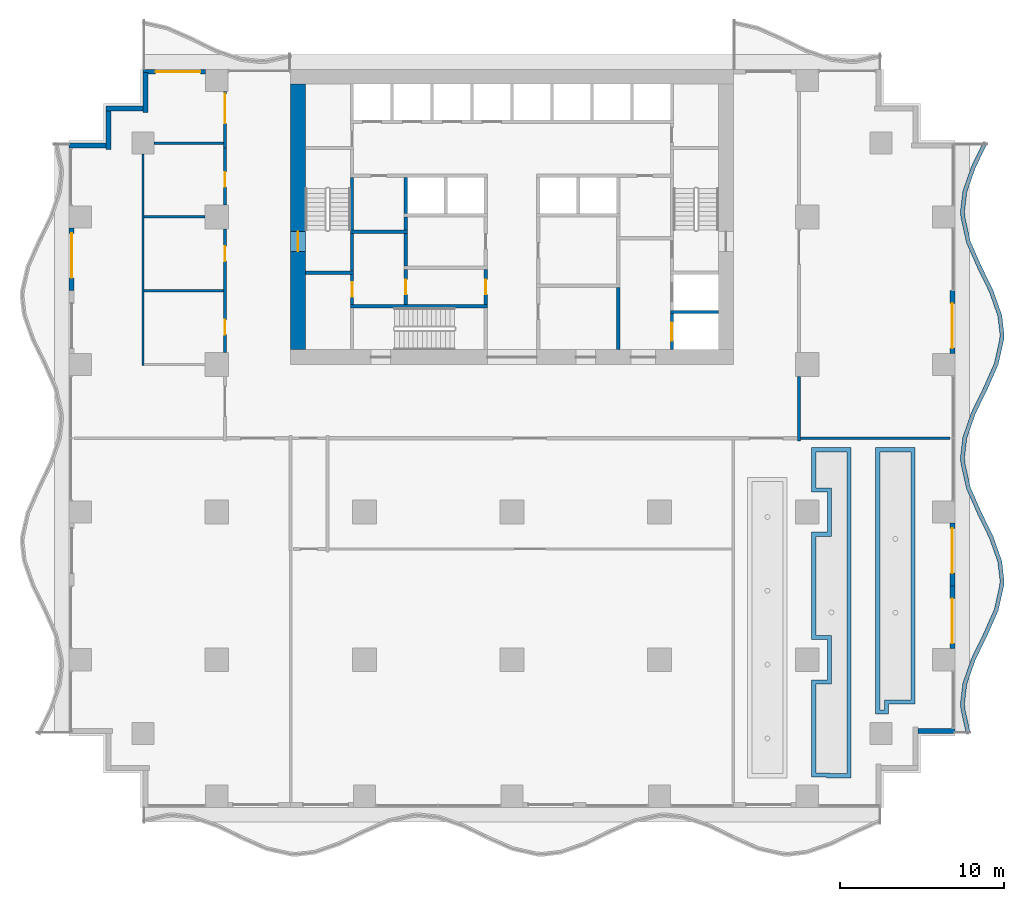
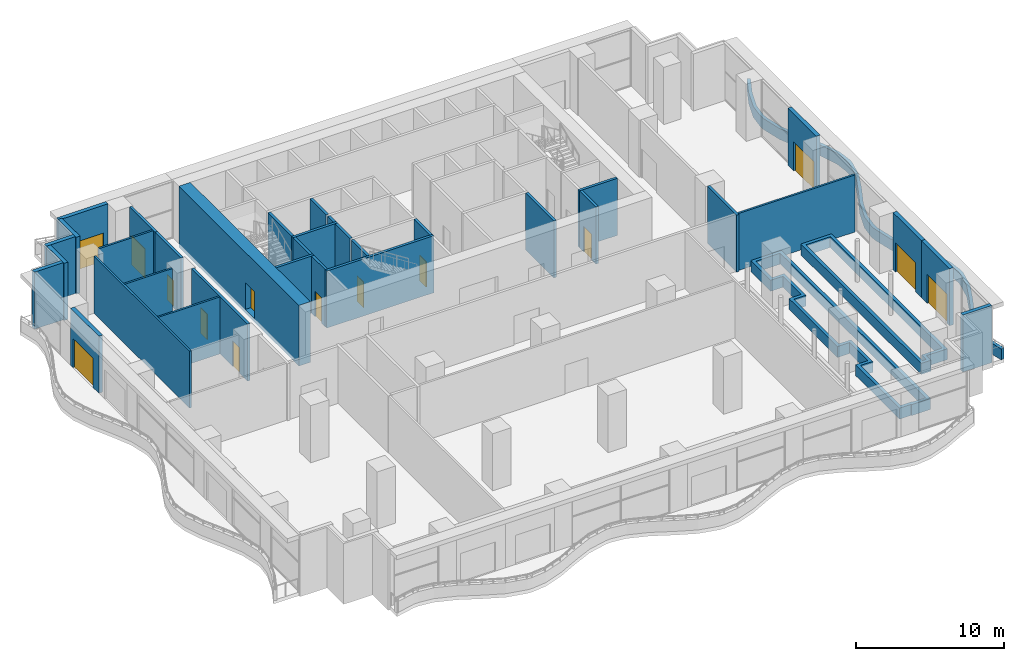
# One storey, part 8 of 18: 37 walls, 14 doors, 14 openings.
"""IFC4 building model written with IfcOpenShell, lengths in metres."""

from ifc_helpers import new_model, si_unit, direction, frame, frame_2d, origin, place, context, subcontext, project, spatial, polyline, rectangle, outline, extrude, material, layer, layer_set, type_object, element, fill, save


model = new_model("IFC4")

# Units and contexts
model_context = context("Model", 3, precision=1e-05, world=origin(), true_north=direction((0.0, 1.0)))
body_context = subcontext(model_context, "Body", "Model", "MODEL_VIEW")
ifc_project = project(units=[si_unit("LENGTHUNIT", "METRE"), si_unit("AREAUNIT", "SQUARE_METRE"), si_unit("VOLUMEUNIT", "CUBIC_METRE"), si_unit("PLANEANGLEUNIT", "RADIAN"), si_unit("MASSUNIT", "GRAM", prefix="KILO")], contexts=[model_context])

# Site, building, storey
site_placement = place(None, origin())
site = spatial("IfcSite", under=ifc_project, at=site_placement, CompositionType="ELEMENT")
building_placement = place(site_placement, origin())
building = spatial("IfcBuilding", under=site, at=building_placement, Name="Orbiselva Terraces", CompositionType="ELEMENT")
storey_placement = place(building_placement, frame((0.0, 0.0, 64.4)))
storey = spatial("IfcBuildingStorey", under=building, at=storey_placement, Name="L16", CompositionType="ELEMENT", Elevation=64.4)

# Wall, opening, door
ifc_material_1 = material(Name="Concrete C80/95", Category="concrete")
ifc_layer_1 = layer(ifc_material_1, 0.9)
ifc_layer_set_1 = layer_set([ifc_layer_1], Name="Concrete C80/95")
wall_type_1 = type_object("IfcWallType", Name="CORE WALL 900", PredefinedType="SHEAR", material=ifc_layer_set_1)
wall_1_placement = place(storey_placement, frame((-13.05, 21.6, -0.3), z_axis=(0.0, 0.0, 1.0), x_axis=(0.0, -1.0, 0.0)))
wall_1 = element("IfcWall", 1, at=wall_1_placement, inside=storey, type_object=wall_type_1, Name="Core wall L16 west", PredefinedType="SHEAR", context=body_context, shape_type="SweptSolid", body=[
    extrude(rectangle(XDim=16.2, YDim=0.9, at=frame_2d((8.1, 0.0))), origin(), (0.0, 0.0, 1.0), 5.0),
])
opening_1_placement = place(wall_1_placement, frame((9.0, 0.0, 0.3)))
opening_1 = element("IfcOpeningElement", 2, at=opening_1_placement, cuts=wall_1, Name="Opening DS1200", PredefinedType="OPENING", context=body_context, shape_type="SweptSolid", body=[
    extrude(rectangle(XDim=1.2, YDim=2.2, at=frame_2d((0.6, 1.1))), frame((0.0, 0.46, 0.0), z_axis=(0.0, -1.0, 0.0), x_axis=(1.0, 0.0, 0.0)), (0.0, 0.0, 1.0), 0.92),
])
ifc_material_2 = material(Name="Steel fire door", Category="steel")
door_type_1 = type_object("IfcDoorType", Name="STAIR DOOR 1200", OperationType="NOTDEFINED", PredefinedType="DOOR", material=ifc_material_2)
door_1_placement = place(opening_1_placement, frame((1.2, 0.0, 0.0), z_axis=(0.0, 0.0, 1.0), x_axis=(-1.0, 0.0, 0.0)))
door_1 = element("IfcDoor", 3, at=door_1_placement, inside=storey, type_object=door_type_1, Name="L16 EXIT STAIR S1 door", OperationType="SINGLE_SWING_RIGHT", OverallHeight=2.2, OverallWidth=1.2, PredefinedType="DOOR", context=body_context, shape_type="SweptSolid", body=[
    extrude(rectangle(XDim=1.2, YDim=2.2, at=frame_2d((0.6, 1.1))), frame((0.0, 0.025, 0.0), z_axis=(0.0, -1.0, 0.0), x_axis=(1.0, 0.0, 0.0)), (0.0, 0.0, 1.0), 0.05),
])
fill(opening_1, door_1)

ifc_material_3 = material(Name="Masonry blockwork", Category="masonry")
ifc_layer_2 = layer(ifc_material_3, 0.2)
ifc_layer_set_2 = layer_set([ifc_layer_2], Name="Masonry blockwork")
wall_type_2 = type_object("IfcWallType", Name="CORE-WALL-PARTITION-200", PredefinedType="PARTITIONING", material=ifc_layer_set_2)
wall_2_placement = place(storey_placement, frame((-9.75, 8.15, 0.0), z_axis=(0.0, 0.0, 1.0), x_axis=(0.0, 1.0, 0.0)))
wall_2 = element("IfcWall", 4, at=wall_2_placement, inside=storey, type_object=wall_type_2, Name="L16 core wall 05", PredefinedType="PARTITIONING", context=body_context, shape_type="SweptSolid", body=[
    extrude(rectangle(XDim=1.85, YDim=0.2, at=frame_2d((0.925, 0.0))), origin(), (0.0, 0.0, 1.0), 4.7),
])
opening_2_placement = place(wall_2_placement, frame((0.475, 0.0, 0.0)))
opening_2 = element("IfcOpeningElement", 5, at=opening_2_placement, cuts=wall_2, Name="Opening DR900", PredefinedType="OPENING", context=body_context, shape_type="SweptSolid", body=[
    extrude(rectangle(XDim=0.9, YDim=2.1, at=frame_2d((0.45, 1.05))), frame((0.0, 0.11, 0.0), z_axis=(0.0, -1.0, 0.0), x_axis=(1.0, 0.0, 0.0)), (0.0, 0.0, 1.0), 0.22),
])
door_type_2 = type_object("IfcDoorType", Name="ROOM DOOR 900", OperationType="NOTDEFINED", PredefinedType="DOOR", material=ifc_material_2)
door_2_placement = place(opening_2_placement, origin())
door_2 = element("IfcDoor", 6, at=door_2_placement, inside=storey, type_object=door_type_2, Name="L16 CLEANERS STORE door", OperationType="SINGLE_SWING_RIGHT", OverallHeight=2.1, OverallWidth=0.9, PredefinedType="DOOR", context=body_context, shape_type="SweptSolid", body=[
    extrude(rectangle(XDim=0.9, YDim=2.1, at=frame_2d((0.45, 1.05))), frame((0.0, 0.025, 0.0), z_axis=(0.0, -1.0, 0.0), x_axis=(1.0, 0.0, 0.0)), (0.0, 0.0, 1.0), 0.05),
])
fill(opening_2, door_2)

wall_3_placement = place(storey_placement, frame((-6.475, 8.15, 0.0), z_axis=(0.0, 0.0, 1.0), x_axis=(0.0, 1.0, 0.0)))
wall_3 = element("IfcWall", 7, at=wall_3_placement, inside=storey, type_object=wall_type_2, Name="L16 core wall 15", PredefinedType="PARTITIONING", context=body_context, shape_type="SweptSolid", body=[
    extrude(rectangle(XDim=2.15, YDim=0.2, at=frame_2d((1.075, 0.0))), origin(), (0.0, 0.0, 1.0), 4.7),
])
opening_3_placement = place(wall_3_placement, frame((0.625, 0.0, 0.0)))
opening_3 = element("IfcOpeningElement", 8, at=opening_3_placement, cuts=wall_3, Name="Opening DR900", PredefinedType="OPENING", context=body_context, shape_type="SweptSolid", body=[
    extrude(rectangle(XDim=0.9, YDim=2.1, at=frame_2d((0.45, 1.05))), frame((0.0, 0.11, 0.0), z_axis=(0.0, -1.0, 0.0), x_axis=(1.0, 0.0, 0.0)), (0.0, 0.0, 1.0), 0.22),
])
door_3_placement = place(opening_3_placement, origin())
door_3 = element("IfcDoor", 9, at=door_3_placement, inside=storey, type_object=door_type_2, Name="L16 STAFF ROOM door", OperationType="SINGLE_SWING_LEFT", OverallHeight=2.1, OverallWidth=0.9, PredefinedType="DOOR", context=body_context, shape_type="SweptSolid", body=[
    extrude(rectangle(XDim=0.9, YDim=2.1, at=frame_2d((0.45, 1.05))), frame((0.0, 0.025, 0.0), z_axis=(0.0, -1.0, 0.0), x_axis=(1.0, 0.0, 0.0)), (0.0, 0.0, 1.0), 0.05),
])
fill(opening_3, door_3)

# Walls
wall_4_placement = place(storey_placement, frame((-6.475, 10.5, 0.0), z_axis=(0.0, 0.0, 1.0), x_axis=(0.0, 1.0, 0.0)))
element("IfcWall", 10, at=wall_4_placement, inside=storey, type_object=wall_type_2, Name="L16 core wall 17", PredefinedType="PARTITIONING", context=body_context, shape_type="SweptSolid", body=[
    extrude(rectangle(XDim=2.0, YDim=0.2, at=frame_2d((1.0, 0.0))), origin(), (0.0, 0.0, 1.0), 4.7),
])
wall_5_placement = place(storey_placement, frame((-6.475, 12.7, 0.0), z_axis=(0.0, 0.0, 1.0), x_axis=(0.0, 1.0, 0.0)))
element("IfcWall", 11, at=wall_5_placement, inside=storey, type_object=wall_type_2, Name="L16 core wall 18", PredefinedType="PARTITIONING", context=body_context, shape_type="SweptSolid", body=[
    extrude(rectangle(XDim=0.8, YDim=0.2, at=frame_2d((0.4, 0.0))), origin(), (0.0, 0.0, 1.0), 4.7),
])

# Wall, opening, door
wall_6_placement = place(storey_placement, frame((-1.6, 8.15, 0.0), z_axis=(0.0, 0.0, 1.0), x_axis=(0.0, 1.0, 0.0)))
wall_6 = element("IfcWall", 12, at=wall_6_placement, inside=storey, type_object=wall_type_2, Name="L16 core wall 25", PredefinedType="PARTITIONING", context=body_context, shape_type="SweptSolid", body=[
    extrude(rectangle(XDim=2.15, YDim=0.2, at=frame_2d((1.075, 0.0))), origin(), (0.0, 0.0, 1.0), 4.7),
])
opening_4_placement = place(wall_6_placement, frame((0.625, 0.0, 0.0)))
opening_4 = element("IfcOpeningElement", 13, at=opening_4_placement, cuts=wall_6, Name="Opening DR900", PredefinedType="OPENING", context=body_context, shape_type="SweptSolid", body=[
    extrude(rectangle(XDim=0.9, YDim=2.1, at=frame_2d((0.45, 1.05))), frame((0.0, 0.11, 0.0), z_axis=(0.0, -1.0, 0.0), x_axis=(1.0, 0.0, 0.0)), (0.0, 0.0, 1.0), 0.22),
])
door_4_placement = place(opening_4_placement, origin())
door_4 = element("IfcDoor", 14, at=door_4_placement, inside=storey, type_object=door_type_2, Name="L16 SERVICE PANTRY door", OperationType="SINGLE_SWING_LEFT", OverallHeight=2.1, OverallWidth=0.9, PredefinedType="DOOR", context=body_context, shape_type="SweptSolid", body=[
    extrude(rectangle(XDim=0.9, YDim=2.1, at=frame_2d((0.45, 1.05))), frame((0.0, 0.025, 0.0), z_axis=(0.0, -1.0, 0.0), x_axis=(1.0, 0.0, 0.0)), (0.0, 0.0, 1.0), 0.05),
])
fill(opening_4, door_4)

# Walls
ifc_material_4 = material(Name="Concrete C40/50", Category="concrete")
ifc_layer_3 = layer(ifc_material_4, 0.2)
ifc_layer_set_3 = layer_set([ifc_layer_3], Name="Concrete C40/50")
wall_type_3 = type_object("IfcWallType", Name="CORE-WALL-SHAFT-200", PredefinedType="PARTITIONING", material=ifc_layer_set_3)
wall_7_placement = place(storey_placement, frame((-6.475, 13.7, 0.0), z_axis=(0.0, 0.0, 1.0), x_axis=(0.0, 1.0, 0.0)))
element("IfcWall", 15, at=wall_7_placement, inside=storey, type_object=wall_type_3, Name="L16 core wall 20", PredefinedType="PARTITIONING", context=body_context, shape_type="SweptSolid", body=[
    extrude(rectangle(XDim=2.2, YDim=0.2, at=frame_2d((1.1, 0.0))), origin(), (0.0, 0.0, 1.0), 4.7),
])
ifc_material_5 = material(Name="Concrete C60/75", Category="concrete")
ifc_layer_4 = layer(ifc_material_5, 0.2)
ifc_layer_set_4 = layer_set([ifc_layer_4], Name="Concrete C60/75")
wall_type_4 = type_object("IfcWallType", Name="CORE-WALL-SHEAR-200", PredefinedType="SHEAR", material=ifc_layer_set_4)
wall_8_placement = place(storey_placement, frame((-12.6, 10.1, 0.0), z_axis=(0.0, 0.0, 1.0), x_axis=(1.0, 0.0, 0.0)))
element("IfcWall", 16, at=wall_8_placement, inside=storey, type_object=wall_type_4, Name="L16 core wall 01", PredefinedType="SHEAR", context=body_context, shape_type="SweptSolid", body=[
    extrude(rectangle(XDim=2.95, YDim=0.2, at=frame_2d((1.475, 0.0))), origin(), (0.0, 0.0, 1.0), 4.7),
])
wall_9_placement = place(storey_placement, frame((-9.85, 8.05, 0.0), z_axis=(0.0, 0.0, 1.0), x_axis=(1.0, 0.0, 0.0)))
element("IfcWall", 17, at=wall_9_placement, inside=storey, type_object=wall_type_4, Name="L16 core wall 04", PredefinedType="SHEAR", context=body_context, shape_type="SweptSolid", body=[
    extrude(rectangle(XDim=8.35, YDim=0.2, at=frame_2d((4.175, 0.0))), origin(), (0.0, 0.0, 1.0), 4.7),
])
wall_10_placement = place(storey_placement, frame((-9.75, 10.2, 0.0), z_axis=(0.0, 0.0, 1.0), x_axis=(0.0, 1.0, 0.0)))
element("IfcWall", 18, at=wall_10_placement, inside=storey, type_object=wall_type_4, Name="L16 core wall 06", PredefinedType="SHEAR", context=body_context, shape_type="SweptSolid", body=[
    extrude(rectangle(XDim=2.3, YDim=0.2, at=frame_2d((1.15, 0.0))), origin(), (0.0, 0.0, 1.0), 4.7),
])
wall_11_placement = place(storey_placement, frame((-9.85, 12.6, 0.0), z_axis=(0.0, 0.0, 1.0), x_axis=(1.0, 0.0, 0.0)))
element("IfcWall", 19, at=wall_11_placement, inside=storey, type_object=wall_type_4, Name="L16 core wall 07", PredefinedType="SHEAR", context=body_context, shape_type="SweptSolid", body=[
    extrude(rectangle(XDim=3.475, YDim=0.2, at=frame_2d((1.7375, 0.0))), origin(), (0.0, 0.0, 1.0), 4.7),
])
wall_12_placement = place(storey_placement, frame((-9.75, 12.7, 0.0), z_axis=(0.0, 0.0, 1.0), x_axis=(0.0, 1.0, 0.0)))
element("IfcWall", 20, at=wall_12_placement, inside=storey, type_object=wall_type_4, Name="L16 core wall 08", PredefinedType="SHEAR", context=body_context, shape_type="SweptSolid", body=[
    extrude(rectangle(XDim=3.2, YDim=0.2, at=frame_2d((1.6, 0.0))), origin(), (0.0, 0.0, 1.0), 4.7),
])
wall_13_placement = place(storey_placement, frame((6.475, 5.4, 0.0), z_axis=(0.0, 0.0, 1.0), x_axis=(0.0, 1.0, 0.0)))
element("IfcWall", 21, at=wall_13_placement, inside=storey, type_object=wall_type_4, Name="L16 core wall 38", PredefinedType="SHEAR", context=body_context, shape_type="SweptSolid", body=[
    extrude(rectangle(XDim=3.8, YDim=0.2, at=frame_2d((1.9, 0.0))), origin(), (0.0, 0.0, 1.0), 4.7),
])

# Wall, opening, door
wall_14_placement = place(storey_placement, frame((9.75, 5.4, 0.0), z_axis=(0.0, 0.0, 1.0), x_axis=(0.0, 1.0, 0.0)))
wall_14 = element("IfcWall", 22, at=wall_14_placement, inside=storey, type_object=wall_type_4, Name="L16 core wall 44", PredefinedType="SHEAR", context=body_context, shape_type="SweptSolid", body=[
    extrude(rectangle(XDim=2.2, YDim=0.2, at=frame_2d((1.1, 0.0))), origin(), (0.0, 0.0, 1.0), 4.7),
])
opening_5_placement = place(wall_14_placement, frame((0.55, 0.0, 0.0)))
opening_5 = element("IfcOpeningElement", 23, at=opening_5_placement, cuts=wall_14, Name="Opening LD-FF1", PredefinedType="OPENING", context=body_context, shape_type="SweptSolid", body=[
    extrude(rectangle(XDim=1.1, YDim=2.1, at=frame_2d((0.55, 1.05))), frame((0.0, 0.11, 0.0), z_axis=(0.0, -1.0, 0.0), x_axis=(1.0, 0.0, 0.0)), (0.0, 0.0, 1.0), 0.22),
])
ifc_material_6 = material(Name="Stainless steel landing door", Category="steel")
door_type_3 = type_object("IfcDoorType", Name="LANDING DOOR 1100", OperationType="SLIDING_TO_LEFT", PredefinedType="DOOR", material=ifc_material_6)
door_5_placement = place(opening_5_placement, origin())
door_5 = element("IfcDoor", 24, at=door_5_placement, inside=storey, type_object=door_type_3, Name="L16 landing door FF1", OperationType="SLIDING_TO_RIGHT", OverallHeight=2.1, OverallWidth=1.1, PredefinedType="DOOR", context=body_context, shape_type="SweptSolid", body=[
    extrude(rectangle(XDim=1.1, YDim=2.1, at=frame_2d((0.55, 1.05))), frame((0.0, 0.025, 0.0), z_axis=(0.0, -1.0, 0.0), x_axis=(1.0, 0.0, 0.0)), (0.0, 0.0, 1.0), 0.05),
])
fill(opening_5, door_5)

# Walls
wall_15_placement = place(storey_placement, frame((9.65, 7.7, 0.0), z_axis=(0.0, 0.0, 1.0), x_axis=(1.0, 0.0, 0.0)))
element("IfcWall", 25, at=wall_15_placement, inside=storey, type_object=wall_type_4, Name="L16 core wall 45", PredefinedType="SHEAR", context=body_context, shape_type="SweptSolid", body=[
    extrude(rectangle(XDim=2.95, YDim=0.2, at=frame_2d((1.475, 0.0))), origin(), (0.0, 0.0, 1.0), 4.7),
])
ifc_layer_5 = layer(ifc_material_4, 0.25)
ifc_layer_set_5 = layer_set([ifc_layer_5], Name="Concrete C40/50")
wall_type_5 = type_object("IfcWallType", Name="ENV-GARDEN-BED-250x900", PredefinedType="USERDEFINED", material=ifc_layer_set_5)
wall_16_placement = place(storey_placement, origin())
element("IfcWall", 26, at=wall_16_placement, inside=storey, type_object=wall_type_5, Name="Planter L16 Planting bed 2", ObjectType="PLANTER", PredefinedType="USERDEFINED", context=body_context, shape_type="SweptSolid", body=[
    extrude(outline(polyline([(20.675, -20.7), (20.675, -0.575), (18.275, -0.575), (18.275, -3.275), (19.225, -3.275), (19.225, -5.725), (18.275, -5.725), (18.275, -12.275), (19.225, -12.275), (19.225, -14.725), (18.275, -14.725), (18.275, -20.65), (19.175, -20.65), (19.175, -20.7), (20.675, -20.7)]), holes=[polyline([(19.425, -20.45), (19.425, -20.4), (18.525, -20.4), (18.525, -14.975), (19.475, -14.975), (19.475, -12.025), (18.525, -12.025), (18.525, -5.975), (19.475, -5.975), (19.475, -3.025), (18.525, -3.025), (18.525, -0.825), (20.425, -0.825), (20.425, -20.45), (19.425, -20.45)])]), origin(), (0.0, 0.0, 1.0), 0.9),
])
wall_17_placement = place(storey_placement, origin())
element("IfcWall", 27, at=wall_17_placement, inside=storey, type_object=wall_type_5, Name="Planter L16 Planting bed 3", ObjectType="PLANTER", PredefinedType="USERDEFINED", context=body_context, shape_type="SweptSolid", body=[
    extrude(outline(polyline([(24.575, -16.2), (24.575, -0.575), (22.175, -0.575), (22.175, -16.825), (22.95, -16.825), (22.95, -16.2), (24.575, -16.2)]), holes=[polyline([(22.7, -15.95), (22.7, -16.575), (22.425, -16.575), (22.425, -0.825), (24.325, -0.825), (24.325, -15.95), (22.7, -15.95)])]), origin(), (0.0, 0.0, 1.0), 0.9),
])
ifc_layer_6 = layer(ifc_material_4, 0.25)
ifc_layer_set_6 = layer_set([ifc_layer_6], Name="Concrete C40/50")
wall_type_6 = type_object("IfcWallType", Name="ENV-PLANTER-250x900", PredefinedType="USERDEFINED", material=ifc_layer_set_6)
wall_18_placement = place(storey_placement, origin())
element("IfcWall", 28, at=wall_18_placement, inside=storey, type_object=wall_type_6, Name="Balcony planter L16 E", ObjectType="PLANTER", PredefinedType="USERDEFINED", context=body_context, shape_type="SweptSolid", body=[
    extrude(outline(polyline([(27.951472, -18.0), (27.614774, -16.5), (27.6, -16.125), (27.730792, -15.0), (28.255211, -13.5), (28.987721, -12.0), (29.648528, -10.5), (29.985226, -9.0), (30.0, -8.625), (29.869208, -7.5), (29.344789, -6.0), (28.612279, -4.5), (27.951472, -3.0), (27.614774, -1.5), (27.6, -1.125), (27.730792, 0.0), (28.255211, 1.5), (28.987721, 3.0), (29.648528, 4.5), (29.985226, 6.0), (30.0, 6.375), (29.869208, 7.5), (29.344789, 9.0), (28.612279, 10.5), (27.951472, 12.0), (27.614774, 13.5), (27.6, 13.875), (27.730792, 15.0), (28.255211, 16.5), (28.987721, 18.0), (28.763076, 18.109703), (28.024089, 16.59644), (27.485662, 15.056371), (27.349429, 13.884572), (27.365863, 13.467435), (27.712874, 11.921492), (28.385477, 10.394714), (29.113667, 8.90356), (29.624078, 7.443629), (29.749429, 6.365428), (29.736315, 6.032565), (29.40993, 4.578508), (28.760919, 3.105286), (28.024089, 1.59644), (27.485662, 0.056371), (27.349429, -1.115428), (27.365863, -1.532565), (27.712874, -3.078508), (28.385477, -4.605286), (29.113667, -6.09644), (29.624078, -7.556371), (29.749429, -8.634572), (29.736315, -8.967435), (29.40993, -10.421492), (28.760919, -11.894714), (28.024089, -13.40356), (27.485662, -14.943629), (27.349429, -16.115428), (27.365863, -16.532565), (27.707542, -18.054754), (27.951472, -18.0)])), origin(), (0.0, 0.0, 1.0), 0.9),
])
ifc_material_7 = material(Name="Terracotta cladding on masonry backing", Category="masonry")
ifc_layer_7 = layer(ifc_material_7, 0.3)
ifc_layer_set_7 = layer_set([ifc_layer_7], Name="Terracotta cladding on masonry backing")
wall_type_7 = type_object("IfcWallType", Name="ENV-WALL-TERRACOTTA-300", PredefinedType="SOLIDWALL", material=ifc_layer_set_7)
wall_19_placement = place(storey_placement, frame((27.0, -17.85, 0.0), z_axis=(0.0, 0.0, 1.0), x_axis=(-1.0, 0.0, 0.0)))
element("IfcWall", 29, at=wall_19_placement, inside=storey, type_object=wall_type_7, Name="Facade wall L16 STEP", PredefinedType="SOLIDWALL", context=body_context, shape_type="SweptSolid", body=[
    extrude(rectangle(XDim=2.25, YDim=0.3, at=frame_2d((1.125, 0.0))), origin(), (0.0, 0.0, 1.0), 4.7),
])

# Wall, opening, door
wall_20_placement = place(storey_placement, frame((26.85, -9.0, 0.0), z_axis=(0.0, 0.0, 1.0), x_axis=(0.0, -1.0, 0.0)))
wall_20 = element("IfcWall", 30, at=wall_20_placement, inside=storey, type_object=wall_type_7, Name="Facade wall L16 E", PredefinedType="SOLIDWALL", context=body_context, shape_type="SweptSolid", body=[
    extrude(rectangle(XDim=3.825, YDim=0.3, at=frame_2d((1.9125, 0.0))), origin(), (0.0, 0.0, 1.0), 4.7),
])
opening_6_placement = place(wall_20_placement, frame((0.775, 0.0, 0.0)))
opening_6 = element("IfcOpeningElement", 31, at=opening_6_placement, cuts=wall_20, Name="Opening SKY-1-E05", PredefinedType="OPENING", context=body_context, shape_type="SweptSolid", body=[
    extrude(rectangle(XDim=2.725, YDim=2.4, at=frame_2d((1.3625, 1.2))), frame((0.0, 0.16, 0.0), z_axis=(0.0, -1.0, 0.0), x_axis=(1.0, 0.0, 0.0)), (0.0, 0.0, 1.0), 0.32),
])
ifc_material_8 = material(Name="Clear low-e glazing in aluminium frame", Category="aluminium")
door_type_4 = type_object("IfcDoorType", Name="BALCONY DOOR 2725 X 2400", OperationType="DOUBLE_DOOR_SLIDING", PredefinedType="DOOR", material=ifc_material_8)
door_6_placement = place(opening_6_placement, origin())
door_6 = element("IfcDoor", 32, at=door_6_placement, inside=storey, type_object=door_type_4, Name="SKY-1-E05", OperationType="SINGLE_SWING_LEFT", OverallHeight=2.4, OverallWidth=2.725, PredefinedType="DOOR", context=body_context, shape_type="SweptSolid", body=[
    extrude(rectangle(XDim=2.725, YDim=2.4, at=frame_2d((1.3625, 1.2))), frame((0.0, 0.025, 0.0), z_axis=(0.0, -1.0, 0.0), x_axis=(1.0, 0.0, 0.0)), (0.0, 0.0, 1.0), 0.05),
])
fill(opening_6, door_6)

wall_21_placement = place(storey_placement, frame((26.85, -5.175, 0.0), z_axis=(0.0, 0.0, 1.0), x_axis=(0.0, -1.0, 0.0)))
wall_21 = element("IfcWall", 33, at=wall_21_placement, inside=storey, type_object=wall_type_7, Name="Facade wall L16 E", PredefinedType="SOLIDWALL", context=body_context, shape_type="SweptSolid", body=[
    extrude(rectangle(XDim=3.825, YDim=0.3, at=frame_2d((1.9125, 0.0))), origin(), (0.0, 0.0, 1.0), 4.7),
])
opening_7_placement = place(wall_21_placement, frame((0.325, 0.0, 0.0)))
opening_7 = element("IfcOpeningElement", 34, at=opening_7_placement, cuts=wall_21, Name="Opening SKY-1-E06", PredefinedType="OPENING", context=body_context, shape_type="SweptSolid", body=[
    extrude(rectangle(XDim=2.725, YDim=2.4, at=frame_2d((1.3625, 1.2))), frame((0.0, 0.16, 0.0), z_axis=(0.0, -1.0, 0.0), x_axis=(1.0, 0.0, 0.0)), (0.0, 0.0, 1.0), 0.32),
])
door_7_placement = place(opening_7_placement, origin())
door_7 = element("IfcDoor", 35, at=door_7_placement, inside=storey, type_object=door_type_4, Name="SKY-1-E06", OperationType="SINGLE_SWING_LEFT", OverallHeight=2.4, OverallWidth=2.725, PredefinedType="DOOR", context=body_context, shape_type="SweptSolid", body=[
    extrude(rectangle(XDim=2.725, YDim=2.4, at=frame_2d((1.3625, 1.2))), frame((0.0, 0.025, 0.0), z_axis=(0.0, -1.0, 0.0), x_axis=(1.0, 0.0, 0.0)), (0.0, 0.0, 1.0), 0.05),
])
fill(opening_7, door_7)

wall_22_placement = place(storey_placement, frame((26.85, 9.0, 0.0), z_axis=(0.0, 0.0, 1.0), x_axis=(0.0, -1.0, 0.0)))
wall_22 = element("IfcWall", 36, at=wall_22_placement, inside=storey, type_object=wall_type_7, Name="Facade wall L16 E", PredefinedType="SOLIDWALL", context=body_context, shape_type="SweptSolid", body=[
    extrude(rectangle(XDim=3.825, YDim=0.3, at=frame_2d((1.9125, 0.0))), origin(), (0.0, 0.0, 1.0), 4.7),
])
opening_8_placement = place(wall_22_placement, frame((0.775, 0.0, 0.0)))
opening_8 = element("IfcOpeningElement", 37, at=opening_8_placement, cuts=wall_22, Name="Opening SKY-1-E07", PredefinedType="OPENING", context=body_context, shape_type="SweptSolid", body=[
    extrude(rectangle(XDim=2.725, YDim=2.4, at=frame_2d((1.3625, 1.2))), frame((0.0, 0.16, 0.0), z_axis=(0.0, -1.0, 0.0), x_axis=(1.0, 0.0, 0.0)), (0.0, 0.0, 1.0), 0.32),
])
door_8_placement = place(opening_8_placement, origin())
door_8 = element("IfcDoor", 38, at=door_8_placement, inside=storey, type_object=door_type_4, Name="SKY-1-E07", OperationType="SINGLE_SWING_LEFT", OverallHeight=2.4, OverallWidth=2.725, PredefinedType="DOOR", context=body_context, shape_type="SweptSolid", body=[
    extrude(rectangle(XDim=2.725, YDim=2.4, at=frame_2d((1.3625, 1.2))), frame((0.0, 0.025, 0.0), z_axis=(0.0, -1.0, 0.0), x_axis=(1.0, 0.0, 0.0)), (0.0, 0.0, 1.0), 0.05),
])
fill(opening_8, door_8)

wall_23_placement = place(storey_placement, frame((-22.5, 22.35, 0.0), z_axis=(0.0, 0.0, 1.0), x_axis=(1.0, 0.0, 0.0)))
wall_23 = element("IfcWall", 39, at=wall_23_placement, inside=storey, type_object=wall_type_7, Name="Facade wall L16 NW", PredefinedType="SOLIDWALL", context=body_context, shape_type="SweptSolid", body=[
    extrude(rectangle(XDim=3.825, YDim=0.3, at=frame_2d((1.9125, 0.0))), origin(), (0.0, 0.0, 1.0), 4.7),
])
opening_9_placement = place(wall_23_placement, frame((0.775, 0.0, 0.0)))
opening_9 = element("IfcOpeningElement", 40, at=opening_9_placement, cuts=wall_23, Name="Opening SKY-1-E09", PredefinedType="OPENING", context=body_context, shape_type="SweptSolid", body=[
    extrude(rectangle(XDim=2.725, YDim=2.4, at=frame_2d((1.3625, 1.2))), frame((0.0, 0.16, 0.0), z_axis=(0.0, -1.0, 0.0), x_axis=(1.0, 0.0, 0.0)), (0.0, 0.0, 1.0), 0.32),
])
door_9_placement = place(opening_9_placement, origin())
door_9 = element("IfcDoor", 41, at=door_9_placement, inside=storey, type_object=door_type_4, Name="SKY-1-E09", OperationType="SINGLE_SWING_LEFT", OverallHeight=2.4, OverallWidth=2.725, PredefinedType="DOOR", context=body_context, shape_type="SweptSolid", body=[
    extrude(rectangle(XDim=2.725, YDim=2.4, at=frame_2d((1.3625, 1.2))), frame((0.0, 0.025, 0.0), z_axis=(0.0, -1.0, 0.0), x_axis=(1.0, 0.0, 0.0)), (0.0, 0.0, 1.0), 0.05),
])
fill(opening_9, door_9)

# Walls
wall_24_placement = place(storey_placement, frame((-22.35, 19.85, 0.0), z_axis=(0.0, 0.0, 1.0), x_axis=(0.0, 1.0, 0.0)))
element("IfcWall", 42, at=wall_24_placement, inside=storey, type_object=wall_type_7, Name="Facade wall L16 STEP", PredefinedType="SOLIDWALL", context=body_context, shape_type="SweptSolid", body=[
    extrude(rectangle(XDim=2.45, YDim=0.3, at=frame_2d((1.225, 0.0))), origin(), (0.0, 0.0, 1.0), 4.7),
])
wall_25_placement = place(storey_placement, frame((-24.75, 20.1, 0.0), z_axis=(0.0, 0.0, 1.0), x_axis=(1.0, 0.0, 0.0)))
element("IfcWall", 43, at=wall_25_placement, inside=storey, type_object=wall_type_7, Name="Facade wall L16 STEP", PredefinedType="SOLIDWALL", context=body_context, shape_type="SweptSolid", body=[
    extrude(rectangle(XDim=2.25, YDim=0.3, at=frame_2d((1.125, 0.0))), origin(), (0.0, 0.0, 1.0), 4.7),
])
wall_26_placement = place(storey_placement, frame((-24.6, 17.6, 0.0), z_axis=(0.0, 0.0, 1.0), x_axis=(0.0, 1.0, 0.0)))
element("IfcWall", 44, at=wall_26_placement, inside=storey, type_object=wall_type_7, Name="Facade wall L16 STEP", PredefinedType="SOLIDWALL", context=body_context, shape_type="SweptSolid", body=[
    extrude(rectangle(XDim=2.35, YDim=0.3, at=frame_2d((1.175, 0.0))), origin(), (0.0, 0.0, 1.0), 4.7),
])
wall_27_placement = place(storey_placement, frame((-27.0, 17.85, 0.0), z_axis=(0.0, 0.0, 1.0), x_axis=(1.0, 0.0, 0.0)))
element("IfcWall", 45, at=wall_27_placement, inside=storey, type_object=wall_type_7, Name="Facade wall L16 STEP", PredefinedType="SOLIDWALL", context=body_context, shape_type="SweptSolid", body=[
    extrude(rectangle(XDim=2.25, YDim=0.3, at=frame_2d((1.125, 0.0))), origin(), (0.0, 0.0, 1.0), 4.7),
])

# Wall, opening, door
wall_28_placement = place(storey_placement, frame((-26.85, 9.0, 0.0), z_axis=(0.0, 0.0, 1.0), x_axis=(0.0, 1.0, 0.0)))
wall_28 = element("IfcWall", 46, at=wall_28_placement, inside=storey, type_object=wall_type_7, Name="Facade wall L16 W", PredefinedType="SOLIDWALL", context=body_context, shape_type="SweptSolid", body=[
    extrude(rectangle(XDim=3.825, YDim=0.3, at=frame_2d((1.9125, 0.0))), origin(), (0.0, 0.0, 1.0), 4.7),
])
opening_10_placement = place(wall_28_placement, frame((0.775, 0.0, 0.0)))
opening_10 = element("IfcOpeningElement", 47, at=opening_10_placement, cuts=wall_28, Name="Opening SKY-1-E10", PredefinedType="OPENING", context=body_context, shape_type="SweptSolid", body=[
    extrude(rectangle(XDim=2.725, YDim=2.4, at=frame_2d((1.3625, 1.2))), frame((0.0, 0.16, 0.0), z_axis=(0.0, -1.0, 0.0), x_axis=(1.0, 0.0, 0.0)), (0.0, 0.0, 1.0), 0.32),
])
door_10_placement = place(opening_10_placement, origin())
door_10 = element("IfcDoor", 48, at=door_10_placement, inside=storey, type_object=door_type_4, Name="SKY-1-E10", OperationType="SINGLE_SWING_LEFT", OverallHeight=2.4, OverallWidth=2.725, PredefinedType="DOOR", context=body_context, shape_type="SweptSolid", body=[
    extrude(rectangle(XDim=2.725, YDim=2.4, at=frame_2d((1.3625, 1.2))), frame((0.0, 0.025, 0.0), z_axis=(0.0, -1.0, 0.0), x_axis=(1.0, 0.0, 0.0)), (0.0, 0.0, 1.0), 0.05),
])
fill(opening_10, door_10)

# Wall, openings, doors
ifc_material_9 = material(Name="Plasterboard on steel stud partition", Category="steel")
ifc_layer_8 = layer(ifc_material_9, 0.2)
ifc_layer_set_8 = layer_set([ifc_layer_8], Name="Plasterboard on steel stud partition")
wall_type_8 = type_object("IfcWallType", Name="UNIT-ENTRANCE-WALL-200", PredefinedType="PARTITIONING", material=ifc_layer_set_8)
wall_29_placement = place(storey_placement, frame((-17.5, 5.225, 0.0), z_axis=(0.0, 0.0, 1.0), x_axis=(0.0, 1.0, 0.0)))
wall_29 = element("IfcWall", 49, at=wall_29_placement, inside=storey, type_object=wall_type_8, Name="PARTITION L16-014", PredefinedType="PARTITIONING", context=body_context, shape_type="SweptSolid", body=[
    extrude(rectangle(XDim=7.55, YDim=0.2, at=frame_2d((3.775, 0.0))), origin(), (0.0, 0.0, 1.0), 4.7),
])
opening_11_placement = place(wall_29_placement, frame((1.1, 0.0, 0.0)))
opening_11 = element("IfcOpeningElement", 50, at=opening_11_placement, cuts=wall_29, Name="Opening SKY-1-08", PredefinedType="OPENING", context=body_context, shape_type="SweptSolid", body=[
    extrude(rectangle(XDim=0.9, YDim=2.1, at=frame_2d((0.45, 1.05))), frame((0.0, 0.11, 0.0), z_axis=(0.0, -1.0, 0.0), x_axis=(1.0, 0.0, 0.0)), (0.0, 0.0, 1.0), 0.22),
])
opening_12_placement = place(wall_29_placement, frame((5.575, 0.0, 0.0)))
opening_12 = element("IfcOpeningElement", 51, at=opening_12_placement, cuts=wall_29, Name="Opening SKY-1-09", PredefinedType="OPENING", context=body_context, shape_type="SweptSolid", body=[
    extrude(rectangle(XDim=0.9, YDim=2.1, at=frame_2d((0.45, 1.05))), frame((0.0, 0.11, 0.0), z_axis=(0.0, -1.0, 0.0), x_axis=(1.0, 0.0, 0.0)), (0.0, 0.0, 1.0), 0.22),
])
ifc_material_10 = material(Name="Painted timber door leaf", Category="wood")
door_type_5 = type_object("IfcDoorType", Name="BATH DOOR 900", OperationType="NOTDEFINED", PredefinedType="DOOR", material=ifc_material_10)
door_11_placement = place(opening_11_placement, origin())
door_11 = element("IfcDoor", 52, at=door_11_placement, inside=storey, type_object=door_type_5, Name="SKY-1-08", OperationType="SINGLE_SWING_LEFT", OverallHeight=2.1, OverallWidth=0.9, PredefinedType="DOOR", context=body_context, shape_type="SweptSolid", body=[
    extrude(rectangle(XDim=0.9, YDim=2.1, at=frame_2d((0.45, 1.05))), frame((0.0, 0.025, 0.0), z_axis=(0.0, -1.0, 0.0), x_axis=(1.0, 0.0, 0.0)), (0.0, 0.0, 1.0), 0.05),
])
fill(opening_11, door_11)
door_12_placement = place(opening_12_placement, origin())
door_12 = element("IfcDoor", 53, at=door_12_placement, inside=storey, type_object=door_type_5, Name="SKY-1-09", OperationType="SINGLE_SWING_RIGHT", OverallHeight=2.1, OverallWidth=0.9, PredefinedType="DOOR", context=body_context, shape_type="SweptSolid", body=[
    extrude(rectangle(XDim=0.9, YDim=2.1, at=frame_2d((0.45, 1.05))), frame((0.0, 0.025, 0.0), z_axis=(0.0, -1.0, 0.0), x_axis=(1.0, 0.0, 0.0)), (0.0, 0.0, 1.0), 0.05),
])
fill(opening_12, door_12)

# Wall, opening, door
wall_30_placement = place(storey_placement, frame((-17.5, 14.225, 0.0), z_axis=(0.0, 0.0, 1.0), x_axis=(0.0, 1.0, 0.0)))
wall_30 = element("IfcWall", 54, at=wall_30_placement, inside=storey, type_object=wall_type_8, Name="PARTITION L16-015", PredefinedType="PARTITIONING", context=body_context, shape_type="SweptSolid", body=[
    extrude(rectangle(XDim=3.4875, YDim=0.2, at=frame_2d((1.74375, 0.0))), origin(), (0.0, 0.0, 1.0), 4.7),
])
opening_13_placement = place(wall_30_placement, frame((1.1, 0.0, 0.0)))
opening_13 = element("IfcOpeningElement", 55, at=opening_13_placement, cuts=wall_30, Name="Opening SKY-1-10", PredefinedType="OPENING", context=body_context, shape_type="SweptSolid", body=[
    extrude(rectangle(XDim=0.9, YDim=2.1, at=frame_2d((0.45, 1.05))), frame((0.0, 0.11, 0.0), z_axis=(0.0, -1.0, 0.0), x_axis=(1.0, 0.0, 0.0)), (0.0, 0.0, 1.0), 0.22),
])
door_13_placement = place(opening_13_placement, origin())
door_13 = element("IfcDoor", 56, at=door_13_placement, inside=storey, type_object=door_type_5, Name="SKY-1-10", OperationType="SINGLE_SWING_LEFT", OverallHeight=2.1, OverallWidth=0.9, PredefinedType="DOOR", context=body_context, shape_type="SweptSolid", body=[
    extrude(rectangle(XDim=0.9, YDim=2.1, at=frame_2d((0.45, 1.05))), frame((0.0, 0.025, 0.0), z_axis=(0.0, -1.0, 0.0), x_axis=(1.0, 0.0, 0.0)), (0.0, 0.0, 1.0), 0.05),
])
fill(opening_13, door_13)

wall_31_placement = place(storey_placement, frame((-17.5, 21.15, 0.0), z_axis=(0.0, 0.0, 1.0), x_axis=(0.0, -1.0, 0.0)))
wall_31 = element("IfcWall", 57, at=wall_31_placement, inside=storey, type_object=wall_type_8, Name="PARTITION L16-016", PredefinedType="PARTITIONING", context=body_context, shape_type="SweptSolid", body=[
    extrude(rectangle(XDim=3.4375, YDim=0.2, at=frame_2d((1.71875, 0.0))), origin(), (0.0, 0.0, 1.0), 4.7),
])
opening_14_placement = place(wall_31_placement, frame((0.15, 0.0, 0.0)))
opening_14 = element("IfcOpeningElement", 58, at=opening_14_placement, cuts=wall_31, Name="Opening SKY-1-06", PredefinedType="OPENING", context=body_context, shape_type="SweptSolid", body=[
    extrude(rectangle(XDim=1.8, YDim=2.4, at=frame_2d((0.9, 1.2))), frame((0.0, 0.11, 0.0), z_axis=(0.0, -1.0, 0.0), x_axis=(1.0, 0.0, 0.0)), (0.0, 0.0, 1.0), 0.22),
])
door_type_6 = type_object("IfcDoorType", Name="DOUBLE DOOR 1800", OperationType="NOTDEFINED", PredefinedType="DOOR", material=ifc_material_10)
door_14_placement = place(opening_14_placement, origin())
door_14 = element("IfcDoor", 59, at=door_14_placement, inside=storey, type_object=door_type_6, Name="SKY-1-06", OperationType="DOUBLE_DOOR_SINGLE_SWING", OverallHeight=2.4, OverallWidth=1.8, PredefinedType="DOOR", context=body_context, shape_type="SweptSolid", body=[
    extrude(rectangle(XDim=1.8, YDim=2.4, at=frame_2d((0.9, 1.2))), frame((0.0, 0.025, 0.0), z_axis=(0.0, -1.0, 0.0), x_axis=(1.0, 0.0, 0.0)), (0.0, 0.0, 1.0), 0.05),
])
fill(opening_14, door_14)

# Walls
wall_32_placement = place(storey_placement, frame((17.5, -0.175, 0.0), z_axis=(0.0, 0.0, 1.0), x_axis=(0.0, 1.0, 0.0)))
element("IfcWall", 60, at=wall_32_placement, inside=storey, type_object=wall_type_8, Name="PARTITION L16-021", PredefinedType="PARTITIONING", context=body_context, shape_type="SweptSolid", body=[
    extrude(rectangle(XDim=3.95, YDim=0.2, at=frame_2d((1.975, 0.0))), origin(), (0.0, 0.0, 1.0), 4.7),
])
ifc_layer_9 = layer(ifc_material_9, 0.15)
ifc_layer_set_9 = layer_set([ifc_layer_9], Name="Plasterboard on steel stud partition")
wall_type_9 = type_object("IfcWallType", Name="UNIT-PARTITION-150", PredefinedType="PARTITIONING", material=ifc_layer_set_9)
wall_33_placement = place(storey_placement, frame((17.6, 0.0, 0.0), z_axis=(0.0, 0.0, 1.0), x_axis=(1.0, 0.0, 0.0)))
element("IfcWall", 61, at=wall_33_placement, inside=storey, type_object=wall_type_9, Name="PARTITION L16-007", PredefinedType="PARTITIONING", context=body_context, shape_type="SweptSolid", body=[
    extrude(rectangle(XDim=9.1, YDim=0.15, at=frame_2d((4.55, 0.0))), origin(), (0.0, 0.0, 1.0), 4.7),
])
wall_34_placement = place(storey_placement, frame((-22.425, 9.0, 0.0), z_axis=(0.0, 0.0, 1.0), x_axis=(1.0, 0.0, 0.0)))
element("IfcWall", 62, at=wall_34_placement, inside=storey, type_object=wall_type_9, Name="PARTITION L16-009", PredefinedType="PARTITIONING", context=body_context, shape_type="SweptSolid", body=[
    extrude(rectangle(XDim=4.825, YDim=0.15, at=frame_2d((2.4125, 0.0))), origin(), (0.0, 0.0, 1.0), 4.7),
])
wall_35_placement = place(storey_placement, frame((-22.425, 13.5, 0.0), z_axis=(0.0, 0.0, 1.0), x_axis=(1.0, 0.0, 0.0)))
element("IfcWall", 63, at=wall_35_placement, inside=storey, type_object=wall_type_9, Name="PARTITION L16-010", PredefinedType="PARTITIONING", context=body_context, shape_type="SweptSolid", body=[
    extrude(rectangle(XDim=3.7, YDim=0.15, at=frame_2d((1.85, 0.0))), origin(), (0.0, 0.0, 1.0), 4.7),
])
wall_36_placement = place(storey_placement, frame((-21.825, 18.0, 0.0), z_axis=(0.0, 0.0, 1.0), x_axis=(1.0, 0.0, 0.0)))
element("IfcWall", 64, at=wall_36_placement, inside=storey, type_object=wall_type_9, Name="PARTITION L16-011", PredefinedType="PARTITIONING", context=body_context, shape_type="SweptSolid", body=[
    extrude(rectangle(XDim=4.225, YDim=0.15, at=frame_2d((2.1125, 0.0))), origin(), (0.0, 0.0, 1.0), 4.7),
])
wall_37_placement = place(storey_placement, frame((-22.5, 4.425, 0.0), z_axis=(0.0, 0.0, 1.0), x_axis=(0.0, 1.0, 0.0)))
element("IfcWall", 65, at=wall_37_placement, inside=storey, type_object=wall_type_9, Name="PARTITION L16-012", PredefinedType="PARTITIONING", context=body_context, shape_type="SweptSolid", body=[
    extrude(rectangle(XDim=12.9, YDim=0.15, at=frame_2d((6.45, 0.0))), origin(), (0.0, 0.0, 1.0), 4.7),
])

save(model, "model.ifc")
